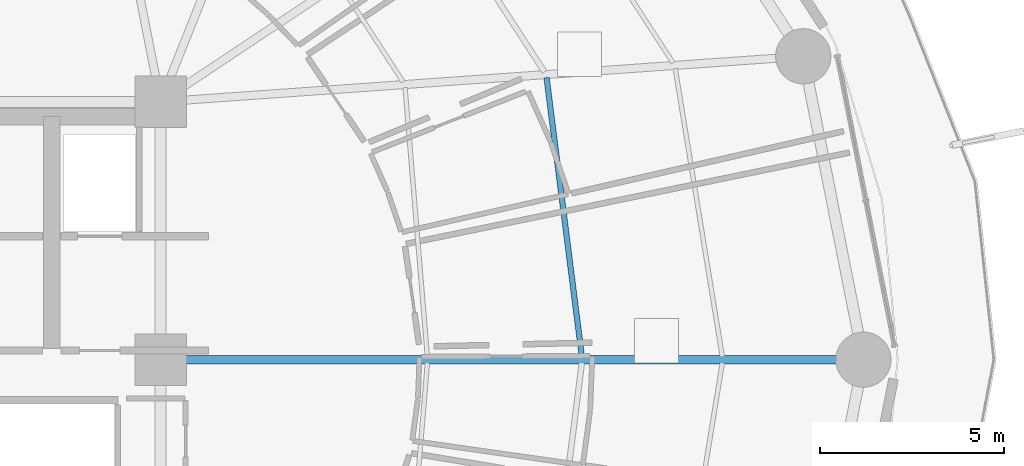
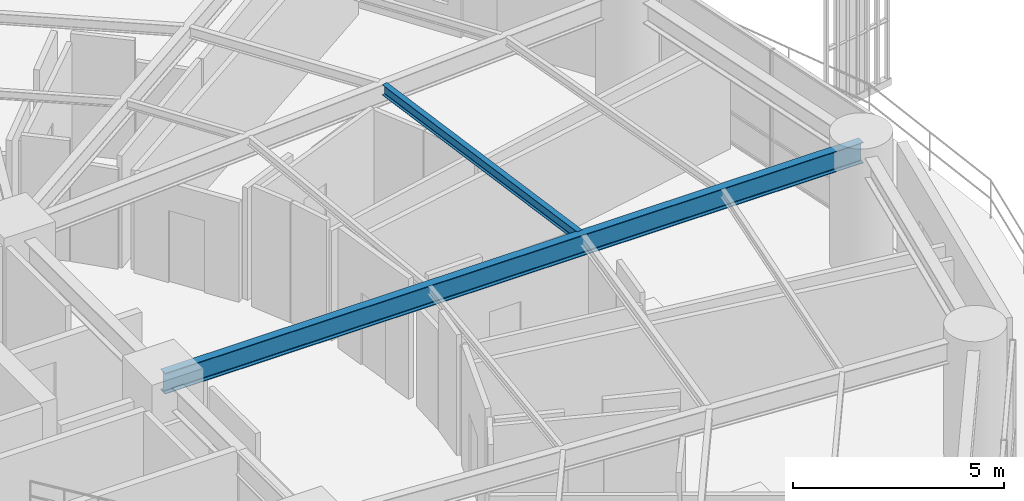
# One storey, part 13 of 34: 2 beams.
"""IFC4 building model written with IfcOpenShell, lengths in metres."""

import ifcopenshell
import ifcopenshell.guid

model = None  # the IFC model being written
_history = None  # IfcOwnerHistory: only IFC2X3 demands one
_inside = {}  # id of a spatial element -> (the spatial element, [elements in it])
_under = {}  # id of a project, library or spatial element -> (it, [spatial elements below it])
_declared = {}  # id of a project -> (the project, [libraries it declares])
_typed = {}  # id of a type object -> (the type object, [elements of that type])
_made_of = {}  # id of a material, layer set ... -> (it, [elements and type objects made of it])


def new_model(schema):
    """Start an empty IFC model of exactly this schema.

    Asked for "IFC4X3", IfcOpenShell would pick the latest addendum, in which some entities
    have other attributes; the version numbers below select the first issue.
    IFC2X3 requires an IfcOwnerHistory on every rooted entity: one is made here for all.
    """
    global model, _history
    if schema == "IFC4X3":
        model = ifcopenshell.file(schema_version=(4, 3, 0, 0))
    else:
        model = ifcopenshell.file(schema=schema)
    _inside.clear()
    _under.clear()
    _declared.clear()
    _typed.clear()
    _made_of.clear()
    _history = None
    if model.schema == "IFC2X3":
        org = make("IfcOrganization", Name="unknown")
        user = make(
            "IfcPersonAndOrganization",
            ThePerson=make("IfcPerson", FamilyName="unknown"),
            TheOrganization=org,
        )
        app = make(
            "IfcApplication",
            ApplicationDeveloper=org,
            Version="unknown",
            ApplicationFullName="unknown",
            ApplicationIdentifier="unknown",
        )
        _history = make(
            "IfcOwnerHistory",
            OwningUser=user,
            OwningApplication=app,
            ChangeAction="ADDED",
            CreationDate=0,
        )
    return model


def make(cls, **values):
    """One entity of the class cls with the attributes given. An attribute that is None is left unset."""
    return model.create_entity(
        cls, **{name: value for name, value in values.items() if value is not None}
    )


def rooted(cls, **values):
    """An entity with a GlobalId (a new one), such as an element, a storey or a relation."""
    return make(cls, GlobalId=ifcopenshell.guid.new(), OwnerHistory=_history, **values)


def si_unit(unit_type, name, prefix=None):
    """IfcSIUnit, for example si_unit("LENGTHUNIT", "METRE", prefix="MILLI")."""
    return make("IfcSIUnit", UnitType=unit_type, Prefix=prefix, Name=name)


def assignment(units):
    """IfcUnitAssignment: the units of a project."""
    return None if units is None else make("IfcUnitAssignment", Units=units)


def point(xyz):
    """IfcCartesianPoint."""
    return None if xyz is None else make("IfcCartesianPoint", Coordinates=xyz)


def direction(xyz):
    """IfcDirection."""
    return None if xyz is None else make("IfcDirection", DirectionRatios=xyz)


def frame(location, z_axis=None, x_axis=None):
    """IfcAxis2Placement3D, a coordinate frame: its origin and axes. An axis left out is left unset."""
    return make(
        "IfcAxis2Placement3D",
        Location=point(location),
        Axis=direction(z_axis),
        RefDirection=direction(x_axis),
    )


def frame_2d(location, x_axis=None):
    """IfcAxis2Placement2D, a coordinate frame in the plane: its origin and x axis."""
    return make(
        "IfcAxis2Placement2D", Location=point(location), RefDirection=direction(x_axis)
    )


def origin():
    """The frame at (0, 0, 0) with its axes left unset."""
    return frame((0.0, 0.0, 0.0))


def origin_2d():
    """The frame at (0, 0) in the plane with its x axis left unset."""
    return frame_2d((0.0, 0.0))


def place(relative_to, where):
    """IfcLocalPlacement: puts the frame where relative to a parent placement (None: the world)."""
    return make(
        "IfcLocalPlacement", PlacementRelTo=relative_to, RelativePlacement=where
    )


def context(
    kind, dimensions, precision=None, world=None, true_north=None, identifier=None
):
    """IfcGeometricRepresentationContext, for example the 3D "Model" context."""
    return make(
        "IfcGeometricRepresentationContext",
        ContextIdentifier=identifier,
        ContextType=kind,
        CoordinateSpaceDimension=dimensions,
        Precision=precision,
        WorldCoordinateSystem=world,
        TrueNorth=true_north,
    )


def subcontext(parent, identifier, kind, view, scale=None):
    """IfcGeometricRepresentationSubContext, for example "Body" below "Model"."""
    return make(
        "IfcGeometricRepresentationSubContext",
        ContextIdentifier=identifier,
        ContextType=kind,
        ParentContext=parent,
        TargetScale=scale,
        TargetView=view,
    )


def project(units=None, contexts=None):
    """IfcProject with its units and contexts."""
    return rooted(
        "IfcProject",
        Name="project",
        RepresentationContexts=contexts,
        UnitsInContext=assignment(units),
    )


def spatial(cls, under=None, at=None, **own):
    """A site, building, storey or space (cls), placed at a placement, below another one or the project."""
    s = rooted(cls, ObjectPlacement=at, **own)
    if under is not None:
        _under.setdefault(under.id(), (under, []))[1].append(s)
    return s


def profile(cls, at=None, kind="AREA", **sizes):
    """A parametric profile (cls). Its sizes go by their IFC names, for example OverallWidth=200.0."""
    return make(cls, ProfileType=kind, Position=at, **sizes)


def i_section(**sizes):
    """IfcIShapeProfileDef."""
    return profile("IfcIShapeProfileDef", **sizes)


def extrude(swept, where, along, depth):
    """IfcExtrudedAreaSolid: the profile swept, set in the frame where, extruded along a direction by depth."""
    return make(
        "IfcExtrudedAreaSolid",
        SweptArea=swept,
        Position=where,
        ExtrudedDirection=direction(along),
        Depth=depth,
    )


def shape(context_of_items, identifier, shape_type, items):
    """IfcShapeRepresentation: the items that make up one representation, for example the "Body"."""
    return make(
        "IfcShapeRepresentation",
        ContextOfItems=context_of_items,
        RepresentationIdentifier=identifier,
        RepresentationType=shape_type,
        Items=items,
    )


def material(Name=None, Category=None):
    """IfcMaterial."""
    return make("IfcMaterial", Name=Name, Category=Category)


def material_profile(
    of_material, cross_section, Name=None, Category=None, Priority=None
):
    """IfcMaterialProfile: a cross section and its material."""
    return make(
        "IfcMaterialProfile",
        Name=Name,
        Material=of_material,
        Profile=cross_section,
        Priority=Priority,
        Category=Category,
    )


def profile_set(profiles, Name=None, composite=None):
    """IfcMaterialProfileSet."""
    return make(
        "IfcMaterialProfileSet",
        Name=Name,
        MaterialProfiles=profiles,
        CompositeProfile=composite,
    )


def made_of(thing, what):
    """Note that an element or type object is made of a material, layer set ...; save() writes the relation."""
    if what is not None:
        _made_of.setdefault(what.id(), (what, []))[1].append(thing)
    return thing


def type_object(cls, material=None, **own):
    """A type object (cls), such as IfcWallType, which elements share."""
    return made_of(rooted(cls, **own), material)


def element(
    cls,
    number,
    at=None,
    inside=None,
    cuts=None,
    type_object=None,
    material=None,
    context=None,
    identifier="Body",
    shape_type=None,
    held_by="IfcProductDefinitionShape",
    body=None,
    shapes=None,
    **own,
):
    """One element of the class cls, such as IfcWall. Its Tag is "e" and its number.

    at: its placement. inside: the storey or other place that contains it. cuts: it is an
    opening in that element (IfcRelVoidsElement). A single representation is given by context,
    identifier, shape_type and body (its items); several are given by shapes. held_by: the class
    of the entity that holds the representations. save() writes the other relations.
    """
    e = rooted(cls, Tag="e%d" % number, ObjectPlacement=at, **own)
    if body is not None:
        shapes = [shape(context, identifier, shape_type, body)]
    if shapes is not None:
        e.Representation = make(held_by, Representations=shapes)
    if inside is not None:
        _inside.setdefault(inside.id(), (inside, []))[1].append(e)
    if cuts is not None:
        rooted(
            "IfcRelVoidsElement", RelatingBuildingElement=cuts, RelatedOpeningElement=e
        )
    if type_object is not None:
        _typed.setdefault(type_object.id(), (type_object, []))[1].append(e)
    return made_of(e, material)


def aggregate(whole, parts):
    """IfcRelAggregates: a whole, such as a stair, and the parts it consists of."""
    return rooted("IfcRelAggregates", RelatingObject=whole, RelatedObjects=parts)


def save(model, path):
    """Write the relations noted so far, then the file.

    IfcRelAggregates (storeys below a building ...), IfcRelContainedInSpatialStructure (elements
    in a storey), IfcRelDefinesByType, IfcRelAssociatesMaterial and IfcRelDeclares: one each for
    every whole, place, type object, material and project.
    """
    for whole, parts in _under.values():
        aggregate(whole, parts)
    for where, things in _inside.values():
        rooted(
            "IfcRelContainedInSpatialStructure",
            RelatedElements=things,
            RelatingStructure=where,
        )
    for kind, things in _typed.values():
        rooted("IfcRelDefinesByType", RelatedObjects=things, RelatingType=kind)
    for what, things in _made_of.values():
        rooted("IfcRelAssociatesMaterial", RelatedObjects=things, RelatingMaterial=what)
    for by, libraries in _declared.values():
        rooted("IfcRelDeclares", RelatingContext=by, RelatedDefinitions=libraries)
    model.write(path)


model = new_model("IFC4")

# Units and contexts
model_context = context("Model", 3, precision=1e-05, world=origin(), true_north=direction((0.0, 1.0)))
body_context = subcontext(model_context, "Body", "Model", "MODEL_VIEW")
ifc_project = project(units=[si_unit("LENGTHUNIT", "METRE"), si_unit("AREAUNIT", "SQUARE_METRE"), si_unit("VOLUMEUNIT", "CUBIC_METRE"), si_unit("PLANEANGLEUNIT", "RADIAN"), si_unit("MASSUNIT", "GRAM", prefix="KILO")], contexts=[model_context])

# Site, building, storey
site_placement = place(None, origin())
site = spatial("IfcSite", under=ifc_project, at=site_placement, CompositionType="ELEMENT")
building_placement = place(site_placement, origin())
building = spatial("IfcBuilding", under=site, at=building_placement, Name="Kelanora Arch Commons", CompositionType="ELEMENT")
storey_placement = place(building_placement, frame((0.0, 0.0, 33.75)))
storey = spatial("IfcBuildingStorey", under=building, at=storey_placement, Name="L08", CompositionType="ELEMENT", Elevation=33.75)

# Beams
ifc_material = material(Name="Steel S355", Category="steel")
ifc_material_profile_1 = material_profile(ifc_material, i_section(OverallWidth=0.14990234375, OverallDepth=0.300048828125, WebThickness=0.007080078125, FlangeThickness=0.0107421875, FilletRadius=0.014892578125, at=origin_2d()), Name="IPE300")
ifc_profile_set_1 = profile_set([ifc_material_profile_1], Name="Steel S355")
beam_type_1 = type_object("IfcBeamType", Name="BM-JST-01", PredefinedType="JOIST", material=ifc_profile_set_1)
beam_1_placement = place(storey_placement, frame((93.437255859375, 58.084228515625, 3.340087890625), z_axis=(-0.125565841651, 0.992085288375, 0.0), x_axis=(-0.992085288375, -0.125565841651, 0.0)))
element("IfcBeam", 1, at=beam_1_placement, inside=storey, type_object=beam_type_1, Name="Secondary Chord Joist BJB-00 L08", PredefinedType="JOIST", context=body_context, shape_type="SweptSolid", body=[
    extrude(i_section(OverallWidth=0.14990234375, OverallDepth=0.300048828125, WebThickness=0.007080078125, FlangeThickness=0.0107421875, FilletRadius=0.014892578125, at=origin_2d()), origin(), (0.0, 0.0, 1.0), 7.63330078125),
])
ifc_material_profile_2 = material_profile(ifc_material, i_section(OverallWidth=0.219970703125, OverallDepth=0.60009765625, WebThickness=0.011962890625, FlangeThickness=0.01904296875, FilletRadius=0.02392578125, at=origin_2d()), Name="IPE600")
ifc_profile_set_2 = profile_set([ifc_material_profile_2], Name="Steel S355")
beam_type_2 = type_object("IfcBeamType", Name="BM-RAD-Z1", PredefinedType="BEAM", material=ifc_profile_set_2)
beam_2_placement = place(storey_placement, frame((82.0, 58.0, 3.18994140625), z_axis=(1.0, 0.0, 0.0), x_axis=(0.0, 1.0, 0.0)))
element("IfcBeam", 2, at=beam_2_placement, inside=storey, type_object=beam_type_2, Name="Radial Floor Girder BR-00 L08", PredefinedType="BEAM", context=body_context, shape_type="SweptSolid", body=[
    extrude(i_section(OverallWidth=0.219970703125, OverallDepth=0.60009765625, WebThickness=0.011962890625, FlangeThickness=0.01904296875, FilletRadius=0.02392578125, at=origin_2d()), origin(), (0.0, 0.0, 1.0), 19.080078125),
])

save(model, "model.ifc")
